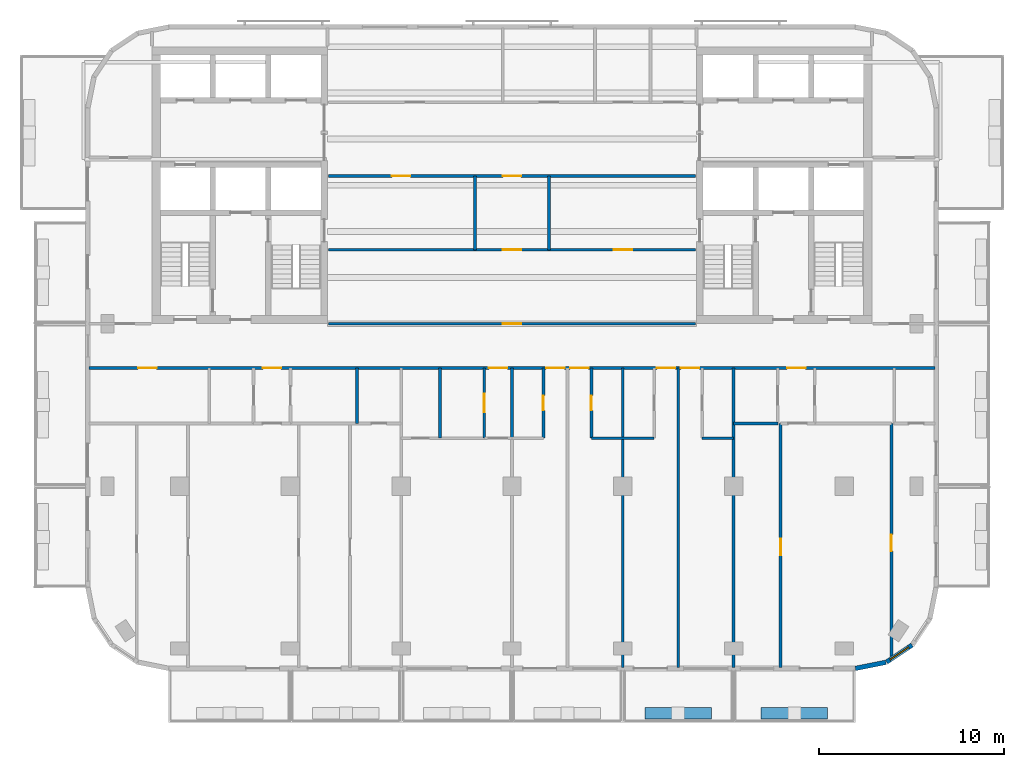
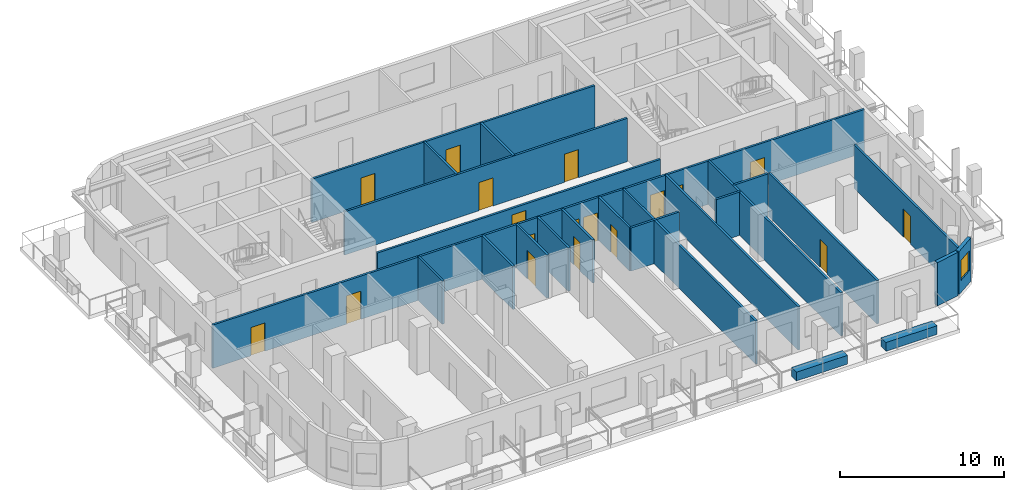
# One storey, part 4 of 11: 24 walls, 18 doors, 1 window, 19 openings.
"""IFC4 building model written with IfcOpenShell, lengths in metres."""

from ifc_helpers import new_model, si_unit, direction, frame, frame_2d, origin, place, context, subcontext, project, spatial, rectangle, extrude, material, layer, layer_set, type_object, element, fill, save


model = new_model("IFC4")

# Units and contexts
model_context = context("Model", 3, precision=1e-05, world=origin(), true_north=direction((0.0, 1.0)))
body_context = subcontext(model_context, "Body", "Model", "MODEL_VIEW")
ifc_project = project(units=[si_unit("LENGTHUNIT", "METRE"), si_unit("AREAUNIT", "SQUARE_METRE"), si_unit("VOLUMEUNIT", "CUBIC_METRE"), si_unit("PLANEANGLEUNIT", "RADIAN"), si_unit("MASSUNIT", "GRAM", prefix="KILO")], contexts=[model_context])

# Site, building, storey
site_placement = place(None, origin())
site = spatial("IfcSite", under=ifc_project, at=site_placement, CompositionType="ELEMENT")
building_placement = place(site_placement, origin())
building = spatial("IfcBuilding", under=site, at=building_placement, Name="Torana Hotel and Residences", CompositionType="ELEMENT")
storey_placement = place(building_placement, frame((0.0, 0.0, 273.60009765625)))
storey = spatial("IfcBuildingStorey", under=building, at=storey_placement, Name="L72", CompositionType="ELEMENT", Elevation=273.60009765625)

# Wall
ifc_material_1 = material(Name="Black aluminium composite panel", Category="aluminium")
ifc_layer_1 = layer(ifc_material_1, 0.00390625, Name="Cladding", Category="cladding")
ifc_material_2 = material(Name="Ventilated air cavity")
ifc_layer_2 = layer(ifc_material_2, 0.0400390625, Name="Ventilated cavity", Category="cavity")
ifc_material_3 = material(Name="Mineral wool insulation")
ifc_layer_3 = layer(ifc_material_3, 0.090087890625, Name="Insulation", Category="insulation")
ifc_material_4 = material(Name="Steel S280GD", Category="steel")
ifc_layer_4 = layer(ifc_material_4, 0.092041015625, Name="Steel stud frame", Category="structure")
ifc_material_5 = material(Name="Fire rated plasterboard")
ifc_layer_5 = layer(ifc_material_5, 0.011962890625, Name="Inner board", Category="finish")
ifc_layer_6 = layer(ifc_material_5, 0.011962890625, Name="Second board", Category="finish")
ifc_layer_set_1 = layer_set([ifc_layer_1, ifc_layer_2, ifc_layer_3, ifc_layer_4, ifc_layer_5, ifc_layer_6], Name="EW1 EXTERNAL WALL BLACK METAL CLAD 250")
wall_type_1 = type_object("IfcWallType", Name="EW1 EXTERNAL WALL BLACK METAL CLAD 250", PredefinedType="SOLIDWALL", material=ifc_layer_set_1)
wall_1_placement = place(storey_placement, frame((18.599853515625, -33.672607421875, 0.0), z_axis=(0.0, 0.0, 1.0), x_axis=(0.980770110232, 0.195166572128, 0.0)))
element("IfcWall", 1, at=wall_1_placement, inside=storey, type_object=wall_type_1, Name="External wall L72 e0.15", PredefinedType="SOLIDWALL", context=body_context, shape_type="SweptSolid", body=[
    extrude(rectangle(XDim=1.68115234375, YDim=0.25, at=frame_2d((0.840576171875, 0.0))), origin(), (0.0, 0.0, 1.0), 3.219970703125),
])

# Wall, opening, window
wall_2_placement = place(storey_placement, frame((20.2939453125, -33.325927734375, 0.0), z_axis=(0.0, 0.0, 1.0), x_axis=(0.831482937015, 0.55555029066, 0.0)))
wall_2 = element("IfcWall", 2, at=wall_2_placement, inside=storey, type_object=wall_type_1, Name="External wall L72 e0.16", PredefinedType="SOLIDWALL", context=body_context, shape_type="SweptSolid", body=[
    extrude(rectangle(XDim=1.65625, YDim=0.25, at=frame_2d((0.828125, 0.0))), origin(), (0.0, 0.0, 1.0), 3.219970703125),
])
opening_1_placement = place(wall_2_placement, frame((0.228271484375, 0.0, 0.89990234375)))
opening_1 = element("IfcOpeningElement", 3, at=opening_1_placement, cuts=wall_2, Name="Opening W5", PredefinedType="OPENING", context=body_context, shape_type="SweptSolid", body=[
    extrude(rectangle(XDim=1.199951171875, YDim=1.5, at=frame_2d((0.60009765625, 0.75))), frame((0.0, 0.135009765625, 0.0), z_axis=(0.0, -1.0, 0.0), x_axis=(1.0, 0.0, 0.0)), (0.0, 0.0, 1.0), 0.27001953125),
])
ifc_material_6 = material(Name="Dark glass in black aluminium frame", Category="aluminium")
window_type = type_object("IfcWindowType", Name="W5 CORNER FACET WINDOW 1200x1500", PartitioningType="SINGLE_PANEL", PredefinedType="WINDOW", material=ifc_material_6)
window_placement = place(opening_1_placement, origin())
window = element("IfcWindow", 4, at=window_placement, inside=storey, type_object=window_type, Name="Window L72 e0.16", OverallHeight=1.5, OverallWidth=1.199951171875, PartitioningType="SINGLE_PANEL", PredefinedType="WINDOW", context=body_context, shape_type="SweptSolid", body=[
    extrude(rectangle(XDim=1.199951171875, YDim=1.5, at=frame_2d((0.60009765625, 0.75))), frame((0.0, 0.030029296875, 0.0), z_axis=(0.0, -1.0, 0.0), x_axis=(1.0, 0.0, 0.0)), (0.0, 0.0, 1.0), 0.06005859375),
])
fill(opening_1, window)

# Walls
ifc_material_7 = material(Name="Gypsum plaster")
ifc_layer_7 = layer(ifc_material_7, 0.014892578125, Name="Plaster", Category="finish")
ifc_material_8 = material(Name="Concrete blockwork", Category="masonry")
ifc_layer_8 = layer(ifc_material_8, 0.1201171875, Name="Blockwork", Category="structure")
ifc_layer_9 = layer(ifc_material_7, 0.014892578125, Name="Plaster", Category="finish")
ifc_layer_set_2 = layer_set([ifc_layer_7, ifc_layer_8, ifc_layer_9], Name="FIRE PARTITION 150 BLOCKWORK")
wall_type_2 = type_object("IfcWallType", Name="FIRE PARTITION 150 BLOCKWORK", PredefinedType="PARTITIONING", material=ifc_layer_set_2)
wall_3_placement = place(storey_placement, frame((2.0, -11.0, 0.0), z_axis=(0.0, 0.0, 1.0), x_axis=(0.0, 1.0, 0.0)))
element("IfcWall", 5, at=wall_3_placement, inside=storey, type_object=wall_type_2, Name="Partition L72", PredefinedType="PARTITIONING", context=body_context, shape_type="SweptSolid", body=[
    extrude(rectangle(XDim=4.0, YDim=0.14990234375, at=frame_2d((2.0, 0.0))), origin(), (0.0, 0.0, 1.0), 3.219970703125),
])
wall_4_placement = place(storey_placement, frame((0.0, -21.199951171875, 0.0), z_axis=(0.0, 0.0, 1.0), x_axis=(0.0, 1.0, 0.0)))
element("IfcWall", 6, at=wall_4_placement, inside=storey, type_object=wall_type_2, Name="Partition L72", PredefinedType="PARTITIONING", context=body_context, shape_type="SweptSolid", body=[
    extrude(rectangle(XDim=3.800048828125, YDim=0.14990234375, at=frame_2d((1.89990234375, 0.0))), origin(), (0.0, 0.0, 1.0), 3.219970703125),
])

# Wall, opening, door
wall_5_placement = place(storey_placement, frame((-1.5, -21.199951171875, 0.0), z_axis=(0.0, 0.0, 1.0), x_axis=(0.0, 1.0, 0.0)))
wall_5 = element("IfcWall", 7, at=wall_5_placement, inside=storey, type_object=wall_type_2, Name="Partition L72", PredefinedType="PARTITIONING", context=body_context, shape_type="SweptSolid", body=[
    extrude(rectangle(XDim=3.800048828125, YDim=0.14990234375, at=frame_2d((1.89990234375, 0.0))), origin(), (0.0, 0.0, 1.0), 3.219970703125),
])
opening_2_placement = place(wall_5_placement, frame((1.39990234375, 0.0, 0.0)))
opening_2 = element("IfcOpeningElement", 8, at=opening_2_placement, cuts=wall_5, Name="Opening L72-37", PredefinedType="OPENING", context=body_context, shape_type="SweptSolid", body=[
    extrude(rectangle(XDim=1.0, YDim=2.10009765625, at=frame_2d((0.5, 1.050048828125))), frame((0.0, 0.0849609375, 0.0), z_axis=(0.0, -1.0, 0.0), x_axis=(1.0, 0.0, 0.0)), (0.0, 0.0, 1.0), 0.169921875),
])
ifc_material_9 = material(Name="Steel S235", Category="steel")
door_type_1 = type_object("IfcDoorType", Name="ENTRY FIRE DOOR D6 1000x2100", OperationType="SINGLE_SWING_LEFT", PredefinedType="DOOR", material=ifc_material_9)
door_1_placement = place(opening_2_placement, origin())
door_1 = element("IfcDoor", 9, at=door_1_placement, inside=storey, type_object=door_type_1, Name="Door L72", OperationType="SINGLE_SWING_RIGHT", OverallHeight=2.10009765625, OverallWidth=1.0, PredefinedType="DOOR", context=body_context, shape_type="SweptSolid", body=[
    extrude(rectangle(XDim=1.0, YDim=2.10009765625, at=frame_2d((0.5, 1.050048828125))), frame((0.0, 0.02490234375, 0.0), z_axis=(0.0, -1.0, 0.0), x_axis=(1.0, 0.0, 0.0)), (0.0, 0.0, 1.0), 0.050048828125),
])
fill(opening_2, door_1)

# Wall
wall_6_placement = place(storey_placement, frame((-2.0, -11.0, 0.0), z_axis=(0.0, 0.0, 1.0), x_axis=(0.0, 1.0, 0.0)))
element("IfcWall", 10, at=wall_6_placement, inside=storey, type_object=wall_type_2, Name="Partition L72", PredefinedType="PARTITIONING", context=body_context, shape_type="SweptSolid", body=[
    extrude(rectangle(XDim=4.0, YDim=0.14990234375, at=frame_2d((2.0, 0.0))), origin(), (0.0, 0.0, 1.0), 3.219970703125),
])

# Wall, openings, doors
wall_7_placement = place(storey_placement, frame((-22.919921875, -17.39990234375, 0.0), z_axis=(0.0, 0.0, 1.0), x_axis=(1.0, 0.0, 0.0)))
wall_7 = element("IfcWall", 11, at=wall_7_placement, inside=storey, type_object=wall_type_2, Name="Partition L72", PredefinedType="PARTITIONING", context=body_context, shape_type="SweptSolid", body=[
    extrude(rectangle(XDim=45.83984375, YDim=0.14990234375, at=frame_2d((22.919921875, 0.0))), origin(), (0.0, 0.0, 1.0), 3.219970703125),
])
opening_3_placement = place(wall_7_placement, frame((21.669921875, 0.0, 0.0)))
opening_3 = element("IfcOpeningElement", 12, at=opening_3_placement, cuts=wall_7, Name="Opening L72-18", PredefinedType="OPENING", context=body_context, shape_type="SweptSolid", body=[
    extrude(rectangle(XDim=1.0, YDim=2.10009765625, at=frame_2d((0.5, 1.050048828125))), frame((0.0, 0.0849609375, 0.0), z_axis=(0.0, -1.0, 0.0), x_axis=(1.0, 0.0, 0.0)), (0.0, 0.0, 1.0), 0.169921875),
])
opening_4_placement = place(wall_7_placement, frame((24.77001953125, 0.0, 0.0)))
opening_4 = element("IfcOpeningElement", 13, at=opening_4_placement, cuts=wall_7, Name="Opening L72-19", PredefinedType="OPENING", context=body_context, shape_type="SweptSolid", body=[
    extrude(rectangle(XDim=1.0, YDim=2.10009765625, at=frame_2d((0.5, 1.050048828125))), frame((0.0, 0.0849609375, 0.0), z_axis=(0.0, -1.0, 0.0), x_axis=(1.0, 0.0, 0.0)), (0.0, 0.0, 1.0), 0.169921875),
])
opening_5_placement = place(wall_7_placement, frame((26.070068359375, 0.0, 0.0)))
opening_5 = element("IfcOpeningElement", 14, at=opening_5_placement, cuts=wall_7, Name="Opening L72-20", PredefinedType="OPENING", context=body_context, shape_type="SweptSolid", body=[
    extrude(rectangle(XDim=1.0, YDim=2.10009765625, at=frame_2d((0.5, 1.050048828125))), frame((0.0, 0.0849609375, 0.0), z_axis=(0.0, -1.0, 0.0), x_axis=(1.0, 0.0, 0.0)), (0.0, 0.0, 1.0), 0.169921875),
])
opening_6_placement = place(wall_7_placement, frame((30.77001953125, 0.0, 0.0)))
opening_6 = element("IfcOpeningElement", 15, at=opening_6_placement, cuts=wall_7, Name="Opening L72-21", PredefinedType="OPENING", context=body_context, shape_type="SweptSolid", body=[
    extrude(rectangle(XDim=1.0, YDim=2.10009765625, at=frame_2d((0.5, 1.050048828125))), frame((0.0, 0.0849609375, 0.0), z_axis=(0.0, -1.0, 0.0), x_axis=(1.0, 0.0, 0.0)), (0.0, 0.0, 1.0), 0.169921875),
])
opening_7_placement = place(wall_7_placement, frame((32.070068359375, 0.0, 0.0)))
opening_7 = element("IfcOpeningElement", 16, at=opening_7_placement, cuts=wall_7, Name="Opening L72-22", PredefinedType="OPENING", context=body_context, shape_type="SweptSolid", body=[
    extrude(rectangle(XDim=1.0, YDim=2.10009765625, at=frame_2d((0.5, 1.050048828125))), frame((0.0, 0.0849609375, 0.0), z_axis=(0.0, -1.0, 0.0), x_axis=(1.0, 0.0, 0.0)), (0.0, 0.0, 1.0), 0.169921875),
])
opening_8_placement = place(wall_7_placement, frame((9.419921875, 0.0, 0.0)))
opening_8 = element("IfcOpeningElement", 17, at=opening_8_placement, cuts=wall_7, Name="Opening L72-23", PredefinedType="OPENING", context=body_context, shape_type="SweptSolid", body=[
    extrude(rectangle(XDim=1.0, YDim=2.10009765625, at=frame_2d((0.5, 1.050048828125))), frame((0.0, 0.0849609375, 0.0), z_axis=(0.0, -1.0, 0.0), x_axis=(1.0, 0.0, 0.0)), (0.0, 0.0, 1.0), 0.169921875),
])
opening_9_placement = place(wall_7_placement, frame((2.669921875, 0.0, 0.0)))
opening_9 = element("IfcOpeningElement", 18, at=opening_9_placement, cuts=wall_7, Name="Opening L72-24", PredefinedType="OPENING", context=body_context, shape_type="SweptSolid", body=[
    extrude(rectangle(XDim=1.0, YDim=2.10009765625, at=frame_2d((0.5, 1.050048828125))), frame((0.0, 0.0849609375, 0.0), z_axis=(0.0, -1.0, 0.0), x_axis=(1.0, 0.0, 0.0)), (0.0, 0.0, 1.0), 0.169921875),
])
opening_10_placement = place(wall_7_placement, frame((37.820068359375, 0.0, 0.0)))
opening_10 = element("IfcOpeningElement", 19, at=opening_10_placement, cuts=wall_7, Name="Opening L72-25", PredefinedType="OPENING", context=body_context, shape_type="SweptSolid", body=[
    extrude(rectangle(XDim=1.0, YDim=2.10009765625, at=frame_2d((0.5, 1.050048828125))), frame((0.0, 0.0849609375, 0.0), z_axis=(0.0, -1.0, 0.0), x_axis=(1.0, 0.0, 0.0)), (0.0, 0.0, 1.0), 0.169921875),
])
door_2_placement = place(opening_3_placement, origin())
door_2 = element("IfcDoor", 20, at=door_2_placement, inside=storey, type_object=door_type_1, Name="Door L72", OperationType="SINGLE_SWING_RIGHT", OverallHeight=2.10009765625, OverallWidth=1.0, PredefinedType="DOOR", context=body_context, shape_type="SweptSolid", body=[
    extrude(rectangle(XDim=1.0, YDim=2.10009765625, at=frame_2d((0.5, 1.050048828125))), frame((0.0, 0.02490234375, 0.0), z_axis=(0.0, -1.0, 0.0), x_axis=(1.0, 0.0, 0.0)), (0.0, 0.0, 1.0), 0.050048828125),
])
fill(opening_3, door_2)
door_3_placement = place(opening_4_placement, frame((0.5, 0.0, 0.0), z_axis=(0.0, 0.0, 1.0), x_axis=(-1.0, 0.0, 0.0)))
door_3 = element("IfcDoor", 21, at=door_3_placement, inside=storey, type_object=door_type_1, Name="Door L72", OperationType="SINGLE_SWING_LEFT", OverallHeight=2.10009765625, OverallWidth=1.0, PredefinedType="DOOR", context=body_context, shape_type="SweptSolid", body=[
    extrude(rectangle(XDim=1.0, YDim=2.10009765625, at=frame_2d((0.0, 1.050048828125))), frame((0.0, -0.02490234375, 0.0), z_axis=(0.0, 1.0, 0.0), x_axis=(-1.0, 0.0, 0.0)), (0.0, 0.0, 1.0), 0.050048828125),
])
fill(opening_4, door_3)
door_4_placement = place(opening_5_placement, frame((0.5, 0.0, 0.0), z_axis=(0.0, 0.0, 1.0), x_axis=(-1.0, 0.0, 0.0)))
door_4 = element("IfcDoor", 22, at=door_4_placement, inside=storey, type_object=door_type_1, Name="Door L72", OperationType="SINGLE_SWING_LEFT", OverallHeight=2.10009765625, OverallWidth=1.0, PredefinedType="DOOR", context=body_context, shape_type="SweptSolid", body=[
    extrude(rectangle(XDim=1.0, YDim=2.10009765625, at=frame_2d((0.0, 1.050048828125))), frame((0.0, -0.02490234375, 0.0), z_axis=(0.0, 1.0, 0.0), x_axis=(-1.0, 0.0, 0.0)), (0.0, 0.0, 1.0), 0.050048828125),
])
fill(opening_5, door_4)
door_5_placement = place(opening_6_placement, frame((0.5, 0.0, 0.0), z_axis=(0.0, 0.0, 1.0), x_axis=(-1.0, 0.0, 0.0)))
door_5 = element("IfcDoor", 23, at=door_5_placement, inside=storey, type_object=door_type_1, Name="Door L72", OperationType="SINGLE_SWING_LEFT", OverallHeight=2.10009765625, OverallWidth=1.0, PredefinedType="DOOR", context=body_context, shape_type="SweptSolid", body=[
    extrude(rectangle(XDim=1.0, YDim=2.10009765625, at=frame_2d((0.0, 1.050048828125))), frame((0.0, -0.02490234375, 0.0), z_axis=(0.0, 1.0, 0.0), x_axis=(-1.0, 0.0, 0.0)), (0.0, 0.0, 1.0), 0.050048828125),
])
fill(opening_6, door_5)
door_6_placement = place(opening_7_placement, frame((0.5, 0.0, 0.0), z_axis=(0.0, 0.0, 1.0), x_axis=(-1.0, 0.0, 0.0)))
door_6 = element("IfcDoor", 24, at=door_6_placement, inside=storey, type_object=door_type_1, Name="Door L72", OperationType="SINGLE_SWING_LEFT", OverallHeight=2.10009765625, OverallWidth=1.0, PredefinedType="DOOR", context=body_context, shape_type="SweptSolid", body=[
    extrude(rectangle(XDim=1.0, YDim=2.10009765625, at=frame_2d((0.0, 1.050048828125))), frame((0.0, -0.02490234375, 0.0), z_axis=(0.0, 1.0, 0.0), x_axis=(-1.0, 0.0, 0.0)), (0.0, 0.0, 1.0), 0.050048828125),
])
fill(opening_7, door_6)
door_7_placement = place(opening_8_placement, origin())
door_7 = element("IfcDoor", 25, at=door_7_placement, inside=storey, type_object=door_type_1, Name="Door L72", OperationType="SINGLE_SWING_RIGHT", OverallHeight=2.10009765625, OverallWidth=1.0, PredefinedType="DOOR", context=body_context, shape_type="SweptSolid", body=[
    extrude(rectangle(XDim=1.0, YDim=2.10009765625, at=frame_2d((0.5, 1.050048828125))), frame((0.0, 0.02490234375, 0.0), z_axis=(0.0, -1.0, 0.0), x_axis=(1.0, 0.0, 0.0)), (0.0, 0.0, 1.0), 0.050048828125),
])
fill(opening_8, door_7)
door_8_placement = place(opening_9_placement, frame((0.5, 0.0, 0.0), z_axis=(0.0, 0.0, 1.0), x_axis=(-1.0, 0.0, 0.0)))
door_8 = element("IfcDoor", 26, at=door_8_placement, inside=storey, type_object=door_type_1, Name="Door L72", OperationType="SINGLE_SWING_LEFT", OverallHeight=2.10009765625, OverallWidth=1.0, PredefinedType="DOOR", context=body_context, shape_type="SweptSolid", body=[
    extrude(rectangle(XDim=1.0, YDim=2.10009765625, at=frame_2d((0.0, 1.050048828125))), frame((0.0, -0.02490234375, 0.0), z_axis=(0.0, 1.0, 0.0), x_axis=(-1.0, 0.0, 0.0)), (0.0, 0.0, 1.0), 0.050048828125),
])
fill(opening_9, door_8)
door_9_placement = place(opening_10_placement, origin())
door_9 = element("IfcDoor", 27, at=door_9_placement, inside=storey, type_object=door_type_1, Name="Door L72", OperationType="SINGLE_SWING_RIGHT", OverallHeight=2.10009765625, OverallWidth=1.0, PredefinedType="DOOR", context=body_context, shape_type="SweptSolid", body=[
    extrude(rectangle(XDim=1.0, YDim=2.10009765625, at=frame_2d((0.5, 1.050048828125))), frame((0.0, 0.02490234375, 0.0), z_axis=(0.0, -1.0, 0.0), x_axis=(1.0, 0.0, 0.0)), (0.0, 0.0, 1.0), 0.050048828125),
])
fill(opening_10, door_9)

# Wall, opening, door
wall_8_placement = place(storey_placement, frame((-9.949951171875, -15.0, 0.0), z_axis=(0.0, 0.0, 1.0), x_axis=(1.0, 0.0, 0.0)))
wall_8 = element("IfcWall", 28, at=wall_8_placement, inside=storey, type_object=wall_type_2, Name="Partition L72", PredefinedType="PARTITIONING", context=body_context, shape_type="SweptSolid", body=[
    extrude(rectangle(XDim=19.89990234375, YDim=0.14990234375, at=frame_2d((9.949951171875, 0.0))), origin(), (0.0, 0.0, 1.0), 2.583984375),
])
opening_11_placement = place(wall_8_placement, frame((9.449951171875, 0.0, 0.0)))
opening_11 = element("IfcOpeningElement", 29, at=opening_11_placement, cuts=wall_8, Name="Opening L72-17", PredefinedType="OPENING", context=body_context, shape_type="SweptSolid", body=[
    extrude(rectangle(XDim=1.0, YDim=2.10009765625, at=frame_2d((0.5, 1.050048828125))), frame((0.0, 0.0849609375, 0.0), z_axis=(0.0, -1.0, 0.0), x_axis=(1.0, 0.0, 0.0)), (0.0, 0.0, 1.0), 0.169921875),
])
door_10_placement = place(opening_11_placement, origin())
door_10 = element("IfcDoor", 30, at=door_10_placement, inside=storey, type_object=door_type_1, Name="Door L72", OperationType="SINGLE_SWING_RIGHT", OverallHeight=2.10009765625, OverallWidth=1.0, PredefinedType="DOOR", context=body_context, shape_type="SweptSolid", body=[
    extrude(rectangle(XDim=1.0, YDim=2.10009765625, at=frame_2d((0.5, 1.050048828125))), frame((0.0, 0.02490234375, 0.0), z_axis=(0.0, -1.0, 0.0), x_axis=(1.0, 0.0, 0.0)), (0.0, 0.0, 1.0), 0.050048828125),
])
fill(opening_11, door_10)

# Wall, openings, doors
wall_9_placement = place(storey_placement, frame((-9.949951171875, -11.0, 0.0), z_axis=(0.0, 0.0, 1.0), x_axis=(1.0, 0.0, 0.0)))
wall_9 = element("IfcWall", 31, at=wall_9_placement, inside=storey, type_object=wall_type_2, Name="Partition L72", PredefinedType="PARTITIONING", context=body_context, shape_type="SweptSolid", body=[
    extrude(rectangle(XDim=19.89990234375, YDim=0.14990234375, at=frame_2d((9.949951171875, 0.0))), origin(), (0.0, 0.0, 1.0), 3.219970703125),
])
opening_12_placement = place(wall_9_placement, frame((9.449951171875, 0.0, 0.0)))
opening_12 = element("IfcOpeningElement", 32, at=opening_12_placement, cuts=wall_9, Name="Opening L72-28", PredefinedType="OPENING", context=body_context, shape_type="SweptSolid", body=[
    extrude(rectangle(XDim=1.0, YDim=2.10009765625, at=frame_2d((0.5, 1.050048828125))), frame((0.0, 0.0849609375, 0.0), z_axis=(0.0, -1.0, 0.0), x_axis=(1.0, 0.0, 0.0)), (0.0, 0.0, 1.0), 0.169921875),
])
opening_13_placement = place(wall_9_placement, frame((15.449951171875, 0.0, 0.0)))
opening_13 = element("IfcOpeningElement", 33, at=opening_13_placement, cuts=wall_9, Name="Opening L72-29", PredefinedType="OPENING", context=body_context, shape_type="SweptSolid", body=[
    extrude(rectangle(XDim=1.0, YDim=2.10009765625, at=frame_2d((0.5, 1.050048828125))), frame((0.0, 0.0849609375, 0.0), z_axis=(0.0, -1.0, 0.0), x_axis=(1.0, 0.0, 0.0)), (0.0, 0.0, 1.0), 0.169921875),
])
door_11_placement = place(opening_12_placement, origin())
door_11 = element("IfcDoor", 34, at=door_11_placement, inside=storey, type_object=door_type_1, Name="Door L72", OperationType="SINGLE_SWING_RIGHT", OverallHeight=2.10009765625, OverallWidth=1.0, PredefinedType="DOOR", context=body_context, shape_type="SweptSolid", body=[
    extrude(rectangle(XDim=1.0, YDim=2.10009765625, at=frame_2d((0.5, 1.050048828125))), frame((0.0, 0.02490234375, 0.0), z_axis=(0.0, -1.0, 0.0), x_axis=(1.0, 0.0, 0.0)), (0.0, 0.0, 1.0), 0.050048828125),
])
fill(opening_12, door_11)
door_12_placement = place(opening_13_placement, origin())
door_12 = element("IfcDoor", 35, at=door_12_placement, inside=storey, type_object=door_type_1, Name="Door L72", OperationType="SINGLE_SWING_RIGHT", OverallHeight=2.10009765625, OverallWidth=1.0, PredefinedType="DOOR", context=body_context, shape_type="SweptSolid", body=[
    extrude(rectangle(XDim=1.0, YDim=2.10009765625, at=frame_2d((0.5, 1.050048828125))), frame((0.0, 0.02490234375, 0.0), z_axis=(0.0, -1.0, 0.0), x_axis=(1.0, 0.0, 0.0)), (0.0, 0.0, 1.0), 0.050048828125),
])
fill(opening_13, door_12)

wall_10_placement = place(storey_placement, frame((-9.949951171875, -7.0, 0.0), z_axis=(0.0, 0.0, 1.0), x_axis=(1.0, 0.0, 0.0)))
wall_10 = element("IfcWall", 36, at=wall_10_placement, inside=storey, type_object=wall_type_2, Name="Partition L72", PredefinedType="PARTITIONING", context=body_context, shape_type="SweptSolid", body=[
    extrude(rectangle(XDim=19.89990234375, YDim=0.14990234375, at=frame_2d((9.949951171875, 0.0))), origin(), (0.0, 0.0, 1.0), 3.219970703125),
])
opening_14_placement = place(wall_10_placement, frame((9.449951171875, 0.0, 0.0)))
opening_14 = element("IfcOpeningElement", 37, at=opening_14_placement, cuts=wall_10, Name="Opening L72-30", PredefinedType="OPENING", context=body_context, shape_type="SweptSolid", body=[
    extrude(rectangle(XDim=1.0, YDim=2.10009765625, at=frame_2d((0.5, 1.050048828125))), frame((0.0, 0.0849609375, 0.0), z_axis=(0.0, -1.0, 0.0), x_axis=(1.0, 0.0, 0.0)), (0.0, 0.0, 1.0), 0.169921875),
])
opening_15_placement = place(wall_10_placement, frame((3.449951171875, 0.0, 0.0)))
opening_15 = element("IfcOpeningElement", 38, at=opening_15_placement, cuts=wall_10, Name="Opening L72-31", PredefinedType="OPENING", context=body_context, shape_type="SweptSolid", body=[
    extrude(rectangle(XDim=1.0, YDim=2.10009765625, at=frame_2d((0.5, 1.050048828125))), frame((0.0, 0.0849609375, 0.0), z_axis=(0.0, -1.0, 0.0), x_axis=(1.0, 0.0, 0.0)), (0.0, 0.0, 1.0), 0.169921875),
])
door_13_placement = place(opening_14_placement, origin())
door_13 = element("IfcDoor", 39, at=door_13_placement, inside=storey, type_object=door_type_1, Name="Door L72", OperationType="SINGLE_SWING_RIGHT", OverallHeight=2.10009765625, OverallWidth=1.0, PredefinedType="DOOR", context=body_context, shape_type="SweptSolid", body=[
    extrude(rectangle(XDim=1.0, YDim=2.10009765625, at=frame_2d((0.5, 1.050048828125))), frame((0.0, 0.02490234375, 0.0), z_axis=(0.0, -1.0, 0.0), x_axis=(1.0, 0.0, 0.0)), (0.0, 0.0, 1.0), 0.050048828125),
])
fill(opening_14, door_13)
door_14_placement = place(opening_15_placement, frame((0.5, 0.0, 0.0), z_axis=(0.0, 0.0, 1.0), x_axis=(-1.0, 0.0, 0.0)))
door_14 = element("IfcDoor", 40, at=door_14_placement, inside=storey, type_object=door_type_1, Name="Door L72", OperationType="SINGLE_SWING_LEFT", OverallHeight=2.10009765625, OverallWidth=1.0, PredefinedType="DOOR", context=body_context, shape_type="SweptSolid", body=[
    extrude(rectangle(XDim=1.0, YDim=2.10009765625, at=frame_2d((0.0, 1.050048828125))), frame((0.0, -0.02490234375, 0.0), z_axis=(0.0, 1.0, 0.0), x_axis=(-1.0, 0.0, 0.0)), (0.0, 0.0, 1.0), 0.050048828125),
])
fill(opening_15, door_14)

# Wall, opening, door
ifc_material_10 = material(Name="Gypsum plasterboard")
ifc_layer_10 = layer(ifc_material_10, 0.012451171875, Name="Plasterboard", Category="finish")
ifc_layer_11 = layer(ifc_material_10, 0.012451171875, Name="Plasterboard", Category="finish")
ifc_layer_12 = layer(ifc_material_4, 0.10009765625, Name="Steel studs with mineral wool", Category="insulation")
ifc_layer_13 = layer(ifc_material_10, 0.012451171875, Name="Plasterboard", Category="finish")
ifc_layer_14 = layer(ifc_material_10, 0.012451171875, Name="Plasterboard", Category="finish")
ifc_layer_set_3 = layer_set([ifc_layer_10, ifc_layer_11, ifc_layer_12, ifc_layer_13, ifc_layer_14], Name="PARTITION 150 PLASTERBOARD")
wall_type_3 = type_object("IfcWallType", Name="PARTITION 150 PLASTERBOARD", PredefinedType="PARTITIONING", material=ifc_layer_set_3)
wall_11_placement = place(storey_placement, frame((20.550048828125, -33.0166015625, 0.0), z_axis=(0.0, 0.0, 1.0), x_axis=(0.0, 1.0, 0.0)))
wall_11 = element("IfcWall", 41, at=wall_11_placement, inside=storey, type_object=wall_type_3, Name="Partition L72", PredefinedType="PARTITIONING", context=body_context, shape_type="SweptSolid", body=[
    extrude(rectangle(XDim=12.61669921875, YDim=0.14990234375, at=frame_2d((6.308349609375, 0.0))), origin(), (0.0, 0.0, 1.0), 3.219970703125),
])
opening_16_placement = place(wall_11_placement, frame((5.696533203125, 0.0, 0.0)))
opening_16 = element("IfcOpeningElement", 42, at=opening_16_placement, cuts=wall_11, Name="Opening L72-56", PredefinedType="OPENING", context=body_context, shape_type="SweptSolid", body=[
    extrude(rectangle(XDim=0.89990234375, YDim=2.10009765625, at=frame_2d((0.449951171875, 1.050048828125))), frame((0.0, 0.0849609375, 0.0), z_axis=(0.0, -1.0, 0.0), x_axis=(1.0, 0.0, 0.0)), (0.0, 0.0, 1.0), 0.169921875),
])
ifc_material_11 = material(Name="Timber door, oiled ash", Category="wood")
door_type_2 = type_object("IfcDoorType", Name="ROOM DOOR D7 900x2100", OperationType="SINGLE_SWING_LEFT", PredefinedType="DOOR", material=ifc_material_11)
door_15_placement = place(opening_16_placement, origin())
door_15 = element("IfcDoor", 43, at=door_15_placement, inside=storey, type_object=door_type_2, Name="Door L72", OperationType="SINGLE_SWING_RIGHT", OverallHeight=2.10009765625, OverallWidth=0.89990234375, PredefinedType="DOOR", context=body_context, shape_type="SweptSolid", body=[
    extrude(rectangle(XDim=0.89990234375, YDim=2.10009765625, at=frame_2d((0.449951171875, 1.050048828125))), frame((0.0, 0.02490234375, 0.0), z_axis=(0.0, -1.0, 0.0), x_axis=(1.0, 0.0, 0.0)), (0.0, 0.0, 1.0), 0.050048828125),
])
fill(opening_16, door_15)

wall_12_placement = place(storey_placement, frame((14.550048828125, -33.6201171875, 0.0), z_axis=(0.0, 0.0, 1.0), x_axis=(0.0, 1.0, 0.0)))
wall_12 = element("IfcWall", 44, at=wall_12_placement, inside=storey, type_object=wall_type_3, Name="Partition L72", PredefinedType="PARTITIONING", context=body_context, shape_type="SweptSolid", body=[
    extrude(rectangle(XDim=13.22021484375, YDim=0.14990234375, at=frame_2d((6.610107421875, 0.0))), origin(), (0.0, 0.0, 1.0), 3.219970703125),
])
opening_17_placement = place(wall_12_placement, frame((6.070068359375, 0.0, 0.0)))
opening_17 = element("IfcOpeningElement", 45, at=opening_17_placement, cuts=wall_12, Name="Opening L72-55", PredefinedType="OPENING", context=body_context, shape_type="SweptSolid", body=[
    extrude(rectangle(XDim=0.89990234375, YDim=2.10009765625, at=frame_2d((0.449951171875, 1.050048828125))), frame((0.0, 0.0849609375, 0.0), z_axis=(0.0, -1.0, 0.0), x_axis=(1.0, 0.0, 0.0)), (0.0, 0.0, 1.0), 0.169921875),
])
door_16_placement = place(opening_17_placement, origin())
door_16 = element("IfcDoor", 46, at=door_16_placement, inside=storey, type_object=door_type_2, Name="Door L72", OperationType="SINGLE_SWING_RIGHT", OverallHeight=2.10009765625, OverallWidth=0.89990234375, PredefinedType="DOOR", context=body_context, shape_type="SweptSolid", body=[
    extrude(rectangle(XDim=0.89990234375, YDim=2.10009765625, at=frame_2d((0.449951171875, 1.050048828125))), frame((0.0, 0.02490234375, 0.0), z_axis=(0.0, -1.0, 0.0), x_axis=(1.0, 0.0, 0.0)), (0.0, 0.0, 1.0), 0.050048828125),
])
fill(opening_17, door_16)

# Walls
for number, where, z_axis, x_axis, name in (
    (47, (12.0, -33.6201171875, 0.0), (0.0, 0.0, 1.0), (0.0, 1.0, 0.0), "Partition L72"),
    (48, (9.0, -33.6201171875, 0.0), (0.0, 0.0, 1.0), (0.0, 1.0, 0.0), "Partition L72"),
    (49, (6.0, -33.6201171875, 0.0), (0.0, 0.0, 1.0), (0.0, 1.0, 0.0), "Partition L72"),
):
    element("IfcWall", number, at=place(storey_placement, frame(where, z_axis=z_axis, x_axis=x_axis)), inside=storey, type_object=wall_type_3, Name=name, PredefinedType="PARTITIONING", context=body_context, shape_type="SweptSolid", body=[
        extrude(rectangle(XDim=16.22021484375, YDim=0.14990234375, at=frame_2d((8.110107421875, 0.0))), origin(), (0.0, 0.0, 1.0), 3.219970703125),
    ])

# Wall, opening, door
wall_13_placement = place(storey_placement, frame((4.300048828125, -21.199951171875, 0.0), z_axis=(0.0, 0.0, 1.0), x_axis=(0.0, 1.0, 0.0)))
wall_13 = element("IfcWall", 50, at=wall_13_placement, inside=storey, type_object=wall_type_3, Name="Partition L72", PredefinedType="PARTITIONING", context=body_context, shape_type="SweptSolid", body=[
    extrude(rectangle(XDim=3.800048828125, YDim=0.14990234375, at=frame_2d((1.89990234375, 0.0))), origin(), (0.0, 0.0, 1.0), 3.219970703125),
])
opening_18_placement = place(wall_13_placement, frame((1.5, 0.0, 0.0)))
opening_18 = element("IfcOpeningElement", 51, at=opening_18_placement, cuts=wall_13, Name="Opening L72-40", PredefinedType="OPENING", context=body_context, shape_type="SweptSolid", body=[
    extrude(rectangle(XDim=0.800048828125, YDim=2.10009765625, at=frame_2d((0.39990234375, 1.050048828125))), frame((0.0, 0.0849609375, 0.0), z_axis=(0.0, -1.0, 0.0), x_axis=(1.0, 0.0, 0.0)), (0.0, 0.0, 1.0), 0.169921875),
])
ifc_material_12 = material(Name="Timber door, painted", Category="wood")
door_type_3 = type_object("IfcDoorType", Name="BATH DOOR D13 800x2100", OperationType="SINGLE_SWING_LEFT", PredefinedType="DOOR", material=ifc_material_12)
door_17_placement = place(opening_18_placement, origin())
door_17 = element("IfcDoor", 52, at=door_17_placement, inside=storey, type_object=door_type_3, Name="Door L72", OperationType="SINGLE_SWING_RIGHT", OverallHeight=2.10009765625, OverallWidth=0.800048828125, PredefinedType="DOOR", context=body_context, shape_type="SweptSolid", body=[
    extrude(rectangle(XDim=0.800048828125, YDim=2.10009765625, at=frame_2d((0.39990234375, 1.050048828125))), frame((0.0, 0.02490234375, 0.0), z_axis=(0.0, -1.0, 0.0), x_axis=(1.0, 0.0, 0.0)), (0.0, 0.0, 1.0), 0.050048828125),
])
fill(opening_18, door_17)

wall_14_placement = place(storey_placement, frame((1.699951171875, -21.199951171875, 0.0), z_axis=(0.0, 0.0, 1.0), x_axis=(0.0, 1.0, 0.0)))
wall_14 = element("IfcWall", 53, at=wall_14_placement, inside=storey, type_object=wall_type_3, Name="Partition L72", PredefinedType="PARTITIONING", context=body_context, shape_type="SweptSolid", body=[
    extrude(rectangle(XDim=3.800048828125, YDim=0.14990234375, at=frame_2d((1.89990234375, 0.0))), origin(), (0.0, 0.0, 1.0), 3.219970703125),
])
opening_19_placement = place(wall_14_placement, frame((1.5, 0.0, 0.0)))
opening_19 = element("IfcOpeningElement", 54, at=opening_19_placement, cuts=wall_14, Name="Opening L72-39", PredefinedType="OPENING", context=body_context, shape_type="SweptSolid", body=[
    extrude(rectangle(XDim=0.800048828125, YDim=2.10009765625, at=frame_2d((0.39990234375, 1.050048828125))), frame((0.0, 0.0849609375, 0.0), z_axis=(0.0, -1.0, 0.0), x_axis=(1.0, 0.0, 0.0)), (0.0, 0.0, 1.0), 0.169921875),
])
door_18_placement = place(opening_19_placement, origin())
door_18 = element("IfcDoor", 55, at=door_18_placement, inside=storey, type_object=door_type_3, Name="Door L72", OperationType="SINGLE_SWING_RIGHT", OverallHeight=2.10009765625, OverallWidth=0.800048828125, PredefinedType="DOOR", context=body_context, shape_type="SweptSolid", body=[
    extrude(rectangle(XDim=0.800048828125, YDim=2.10009765625, at=frame_2d((0.39990234375, 1.050048828125))), frame((0.0, 0.02490234375, 0.0), z_axis=(0.0, -1.0, 0.0), x_axis=(1.0, 0.0, 0.0)), (0.0, 0.0, 1.0), 0.050048828125),
])
fill(opening_19, door_18)

# Walls
wall_15_placement = place(storey_placement, frame((-3.89990234375, -21.199951171875, 0.0), z_axis=(0.0, 0.0, 1.0), x_axis=(0.0, 1.0, 0.0)))
element("IfcWall", 56, at=wall_15_placement, inside=storey, type_object=wall_type_3, Name="Partition L72", PredefinedType="PARTITIONING", context=body_context, shape_type="SweptSolid", body=[
    extrude(rectangle(XDim=3.800048828125, YDim=0.14990234375, at=frame_2d((1.89990234375, 0.0))), origin(), (0.0, 0.0, 1.0), 3.219970703125),
])
wall_16_placement = place(storey_placement, frame((-8.39990234375, -20.39990234375, 0.0), z_axis=(0.0, 0.0, 1.0), x_axis=(0.0, 1.0, 0.0)))
element("IfcWall", 57, at=wall_16_placement, inside=storey, type_object=wall_type_3, Name="Partition L72", PredefinedType="PARTITIONING", context=body_context, shape_type="SweptSolid", body=[
    extrude(rectangle(XDim=3.0, YDim=0.14990234375, at=frame_2d((1.5, 0.0))), origin(), (0.0, 0.0, 1.0), 3.219970703125),
])
wall_17_placement = place(storey_placement, frame((4.300048828125, -21.199951171875, 0.0), z_axis=(0.0, 0.0, 1.0), x_axis=(1.0, 0.0, 0.0)))
element("IfcWall", 58, at=wall_17_placement, inside=storey, type_object=wall_type_3, Name="Partition L72", PredefinedType="PARTITIONING", context=body_context, shape_type="SweptSolid", body=[
    extrude(rectangle(XDim=3.39990234375, YDim=0.14990234375, at=frame_2d((1.699951171875, 0.0))), origin(), (0.0, 0.0, 1.0), 3.219970703125),
])
wall_18_placement = place(storey_placement, frame((10.300048828125, -21.199951171875, 0.0), z_axis=(0.0, 0.0, 1.0), x_axis=(1.0, 0.0, 0.0)))
element("IfcWall", 59, at=wall_18_placement, inside=storey, type_object=wall_type_3, Name="Partition L72", PredefinedType="PARTITIONING", context=body_context, shape_type="SweptSolid", body=[
    extrude(rectangle(XDim=1.699951171875, YDim=0.14990234375, at=frame_2d((0.85009765625, 0.0))), origin(), (0.0, 0.0, 1.0), 3.219970703125),
])
wall_19_placement = place(storey_placement, frame((12.0, -20.39990234375, 0.0), z_axis=(0.0, 0.0, 1.0), x_axis=(1.0, 0.0, 0.0)))
element("IfcWall", 60, at=wall_19_placement, inside=storey, type_object=wall_type_3, Name="Partition L72", PredefinedType="PARTITIONING", context=body_context, shape_type="SweptSolid", body=[
    extrude(rectangle(XDim=2.39990234375, YDim=0.14990234375, at=frame_2d((1.199951171875, 0.0))), origin(), (0.0, 0.0, 1.0), 3.219970703125),
])
ifc_material_13 = material(Name="Concrete C40/50 precast", Category="concrete")
ifc_layer_15 = layer(ifc_material_13, 0.10009765625, Name="Planter shell", Category="structure")
ifc_material_14 = material(Name="Root resistant membrane")
ifc_layer_16 = layer(ifc_material_14, 0.00390625, Name="Waterproofing membrane", Category="membrane")
ifc_material_15 = material(Name="Drainage board with filter fleece")
ifc_layer_17 = layer(ifc_material_15, 0.02001953125, Name="Drainage board", Category="drainage")
ifc_material_16 = material(Name="Growing medium")
ifc_layer_18 = layer(ifc_material_16, 0.47607421875, Name="Planting substrate", Category="soil")
ifc_layer_set_4 = layer_set([ifc_layer_15, ifc_layer_16, ifc_layer_17, ifc_layer_18], Name="PL1 BALCONY PLANTER 600")
wall_type_4 = type_object("IfcWallType", Name="PL1 BALCONY PLANTER 600", PredefinedType="USERDEFINED", material=ifc_layer_set_4)
for number, where, z_axis, x_axis, name in (
    (61, (10.800048828125, -36.10009765625, 0.0), (0.0, 0.0, 1.0), (-1.0, 0.0, 0.0), "Planter 05"),
    (62, (17.10009765625, -36.10009765625, 0.0), (0.0, 0.0, 1.0), (-1.0, 0.0, 0.0), "Planter 06"),
):
    element("IfcWall", number, at=place(storey_placement, frame(where, z_axis=z_axis, x_axis=x_axis)), inside=storey, type_object=wall_type_4, Name=name, ObjectType="PLANTER", PredefinedType="USERDEFINED", context=body_context, shape_type="SweptSolid", body=[
        extrude(rectangle(XDim=3.60009765625, YDim=0.60009765625, at=frame_2d((1.800048828125, 0.0))), origin(), (0.0, 0.0, 1.0), 0.64990234375),
    ])

save(model, "model.ifc")
